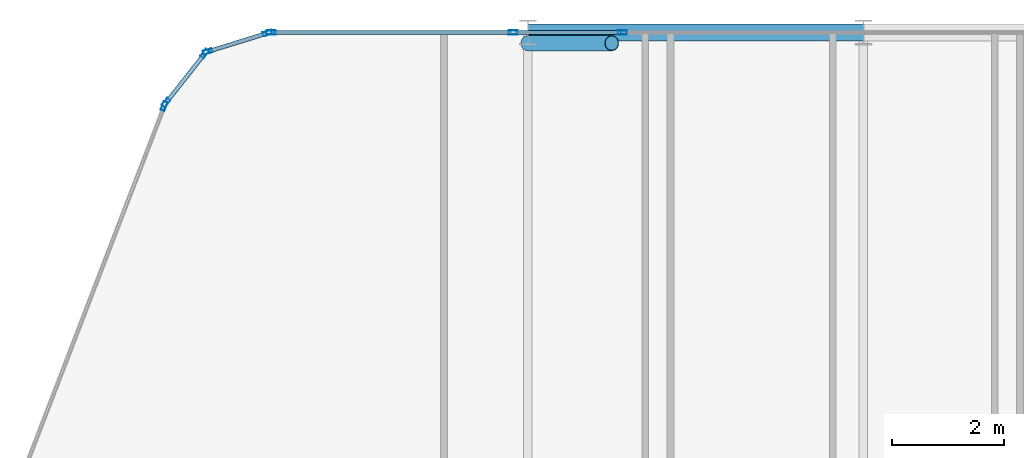
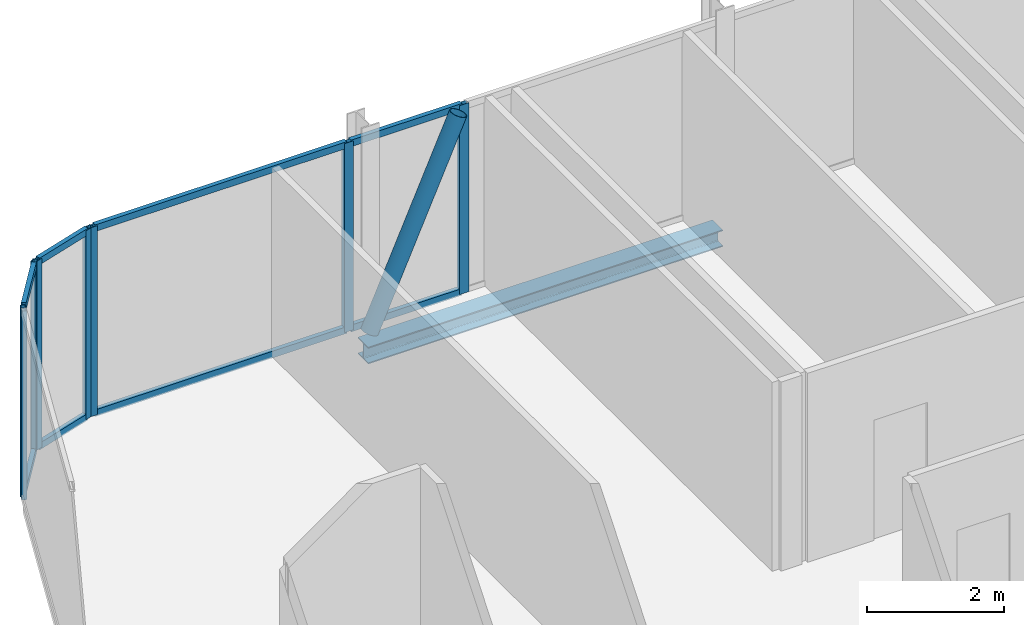
# One storey, part 18 of 29: 17 members, 1 beam, 5 elements without a shape of their own.
"""IFC4 building model written with IfcOpenShell, lengths in metres."""

from ifc_helpers import new_model, si_unit, direction, frame, origin, origin_2d, place, context, subcontext, project, spatial, hollow_rectangle, hollow_circle, i_section, extrude, material, layer, layer_set, material_profile, profile_set, type_object, element, aggregate, save


model = new_model("IFC4")

# Units and contexts
model_context = context("Model", 3, precision=1e-05, world=origin(), true_north=direction((0.0, 1.0)))
body_context = subcontext(model_context, "Body", "Model", "MODEL_VIEW")
ifc_project = project(units=[si_unit("LENGTHUNIT", "METRE"), si_unit("AREAUNIT", "SQUARE_METRE"), si_unit("VOLUMEUNIT", "CUBIC_METRE"), si_unit("PLANEANGLEUNIT", "RADIAN"), si_unit("MASSUNIT", "GRAM", prefix="KILO")], contexts=[model_context])

# Site, building, storey
site_placement = place(None, origin())
site = spatial("IfcSite", under=ifc_project, at=site_placement, CompositionType="ELEMENT")
building_placement = place(site_placement, origin())
building = spatial("IfcBuilding", under=site, at=building_placement, Name="Keshet Zoharim Tower", CompositionType="ELEMENT")
storey_placement = place(building_placement, frame((0.0, 0.0, 214.300048828125)))
storey = spatial("IfcBuildingStorey", under=building, at=storey_placement, Name="L53", CompositionType="ELEMENT", Elevation=214.300048828125)

# Beam
ifc_material_1 = material(Name="Steel S355", Category="steel")
ifc_material_profile_1 = material_profile(ifc_material_1, i_section(OverallWidth=0.300048828125, OverallDepth=0.300048828125, WebThickness=0.010986328125, FlangeThickness=0.01904296875, FilletRadius=0.027099609375, at=origin_2d()), Name="HEB300")
ifc_profile_set_1 = profile_set([ifc_material_profile_1], Name="Steel S355")
beam_type = type_object("IfcBeamType", Name="BM-PRI-HB300", PredefinedType="BEAM", material=ifc_profile_set_1)
beam_placement = place(storey_placement, frame((21.0, 53.89990234375, -0.4599609375), z_axis=(1.0, 0.0, 0.0), x_axis=(0.0, 1.0, 0.0)))
element("IfcBeam", 1, at=beam_placement, inside=storey, type_object=beam_type, Name="L53 Primary Girder X-019", PredefinedType="BEAM", context=body_context, shape_type="SweptSolid", body=[
    extrude(i_section(OverallWidth=0.300048828125, OverallDepth=0.300048828125, WebThickness=0.010986328125, FlangeThickness=0.01904296875, FilletRadius=0.027099609375, at=origin_2d()), origin(), (0.0, 0.0, 1.0), 6.0),
])

# Curtain wall, member
ifc_material_2 = material(Name="Aluminium 6063-T6", Category="aluminium")
ifc_layer = layer(ifc_material_2, 0.139892578125)
ifc_layer_set = layer_set([ifc_layer], Name="Aluminium 6063-T6")
curtain_wall_type = type_object("IfcCurtainWallType", Name="CW-SYS-05", PredefinedType="NOTDEFINED", material=ifc_layer_set)
curtain_wall_1_placement = place(storey_placement, origin())
curtain_wall_1 = element("IfcCurtainWall", 2, at=curtain_wall_1_placement, inside=storey, type_object=curtain_wall_type, Name="L53 Unitised Curtain Wall 13", PredefinedType="NOTDEFINED")
ifc_material_profile_2 = material_profile(ifc_material_2, hollow_rectangle(XDim=0.074951171875, YDim=0.159912109375, WallThickness=0.00390625, at=origin_2d()), Name="MUL-75x160")
ifc_profile_set_2 = profile_set([ifc_material_profile_2], Name="Aluminium 6063-T6")
member_type_1 = type_object("IfcMemberType", Name="CWM-M15", PredefinedType="MULLION", material=ifc_profile_set_2)
member_1_placement = place(storey_placement, frame((14.494384765625, 52.58544921875, 0.0), z_axis=(0.0, 0.0, 1.0), x_axis=(-0.933341404361, 0.358990003907, 0.0)))
member_1 = element("IfcMember", 3, at=member_1_placement, type_object=member_type_1, Name="CW-05 mullion 4", PredefinedType="MULLION", context=body_context, shape_type="SweptSolid", body=[
    extrude(hollow_rectangle(XDim=0.074951171875, YDim=0.159912109375, WallThickness=0.00390625, at=origin_2d()), origin(), (0.0, 0.0, 1.0), 3.3798828125),
])
aggregate(curtain_wall_1, [member_1])

# Curtain wall, members
curtain_wall_2_placement = place(storey_placement, origin())
curtain_wall_2 = element("IfcCurtainWall", 4, at=curtain_wall_2_placement, inside=storey, type_object=curtain_wall_type, Name="L53 Unitised Curtain Wall 14", PredefinedType="NOTDEFINED")
member_2_placement = place(storey_placement, frame((14.528564453125, 52.6455078125, 0.0), z_axis=(0.0, 0.0, 1.0), x_axis=(-0.785292825205, 0.619124525989, 0.0)))
member_2 = element("IfcMember", 5, at=member_2_placement, type_object=member_type_1, Name="CW-05 mullion 1", PredefinedType="MULLION", context=body_context, shape_type="SweptSolid", body=[
    extrude(hollow_rectangle(XDim=0.074951171875, YDim=0.159912109375, WallThickness=0.00390625, at=origin_2d()), origin(), (0.0, 0.0, 1.0), 3.3798828125),
])
member_3_placement = place(storey_placement, frame((15.21923828125, 53.521484375, 0.0), z_axis=(0.0, 0.0, 1.0), x_axis=(-0.785292825205, 0.619124525989, 0.0)))
member_3 = element("IfcMember", 6, at=member_3_placement, type_object=member_type_1, Name="CW-05 mullion 2", PredefinedType="MULLION", context=body_context, shape_type="SweptSolid", body=[
    extrude(hollow_rectangle(XDim=0.074951171875, YDim=0.159912109375, WallThickness=0.00390625, at=origin_2d()), origin(), (0.0, 0.0, 1.0), 3.3798828125),
])

curtain_wall_3_placement = place(storey_placement, origin())
curtain_wall_3 = element("IfcCurtainWall", 7, at=curtain_wall_3_placement, inside=storey, type_object=curtain_wall_type, Name="L53 Unitised Curtain Wall 15", PredefinedType="NOTDEFINED")
member_4_placement = place(storey_placement, frame((15.2744140625, 53.559326171875, 0.0), z_axis=(0.0, 0.0, 1.0), x_axis=(-0.295921857984, 0.955212151288, 0.0)))
member_4 = element("IfcMember", 8, at=member_4_placement, type_object=member_type_1, Name="CW-05 mullion 1", PredefinedType="MULLION", context=body_context, shape_type="SweptSolid", body=[
    extrude(hollow_rectangle(XDim=0.074951171875, YDim=0.159912109375, WallThickness=0.00390625, at=origin_2d()), origin(), (0.0, 0.0, 1.0), 3.3798828125),
])
member_5_placement = place(storey_placement, frame((16.340576171875, 53.8896484375, 0.0), z_axis=(0.0, 0.0, 1.0), x_axis=(-0.295921857984, 0.955212151288, 0.0)))
member_5 = element("IfcMember", 9, at=member_5_placement, type_object=member_type_1, Name="CW-05 mullion 2", PredefinedType="MULLION", context=body_context, shape_type="SweptSolid", body=[
    extrude(hollow_rectangle(XDim=0.074951171875, YDim=0.159912109375, WallThickness=0.00390625, at=origin_2d()), origin(), (0.0, 0.0, 1.0), 3.3798828125),
])

curtain_wall_4_placement = place(storey_placement, origin())
curtain_wall_4 = element("IfcCurtainWall", 10, at=curtain_wall_4_placement, inside=storey, type_object=curtain_wall_type, Name="L53 Unitised Curtain Wall 16", PredefinedType="NOTDEFINED")
member_6_placement = place(storey_placement, frame((16.408935546875, 53.89990234375, 0.0), z_axis=(0.0, 0.0, 1.0), x_axis=(0.0, 1.0, 0.0)))
member_6 = element("IfcMember", 11, at=member_6_placement, type_object=member_type_1, Name="CW-05 mullion 1", PredefinedType="MULLION", context=body_context, shape_type="SweptSolid", body=[
    extrude(hollow_rectangle(XDim=0.074951171875, YDim=0.159912109375, WallThickness=0.00390625, at=origin_2d()), origin(), (0.0, 0.0, 1.0), 3.3798828125),
])
member_7_placement = place(storey_placement, frame((20.740234375, 53.89990234375, 0.0), z_axis=(0.0, 0.0, 1.0), x_axis=(0.0, 1.0, 0.0)))
member_7 = element("IfcMember", 12, at=member_7_placement, type_object=member_type_1, Name="CW-05 mullion 2", PredefinedType="MULLION", context=body_context, shape_type="SweptSolid", body=[
    extrude(hollow_rectangle(XDim=0.074951171875, YDim=0.159912109375, WallThickness=0.00390625, at=origin_2d()), origin(), (0.0, 0.0, 1.0), 3.3798828125),
])

# Curtain wall, member
curtain_wall_5_placement = place(storey_placement, origin())
curtain_wall_5 = element("IfcCurtainWall", 13, at=curtain_wall_5_placement, inside=storey, type_object=curtain_wall_type, Name="L53 Unitised Curtain Wall 16 Part 2", PredefinedType="NOTDEFINED")
member_8_placement = place(storey_placement, frame((22.689697265625, 53.89990234375, 0.0), z_axis=(0.0, 0.0, 1.0), x_axis=(0.0, 1.0, 0.0)))
member_8 = element("IfcMember", 14, at=member_8_placement, type_object=member_type_1, Name="CW-05 mullion 2", PredefinedType="MULLION", context=body_context, shape_type="SweptSolid", body=[
    extrude(hollow_rectangle(XDim=0.074951171875, YDim=0.159912109375, WallThickness=0.00390625, at=origin_2d()), origin(), (0.0, 0.0, 1.0), 3.3798828125),
])

# Member
ifc_material_profile_3 = material_profile(ifc_material_2, hollow_rectangle(XDim=0.074951171875, YDim=0.1201171875, WallThickness=0.00390625, at=origin_2d()), Name="TRN-75x120")
ifc_profile_set_3 = profile_set([ifc_material_profile_3], Name="Aluminium 6063-T6")
member_type_2 = type_object("IfcMemberType", Name="CWT-T12", PredefinedType="USERDEFINED", material=ifc_profile_set_3)
member_9_placement = place(storey_placement, frame((14.55029296875, 52.6728515625, 0.034912109375), z_axis=(0.619099165969, 0.78531281837, 0.0), x_axis=(-0.78531281837, 0.619099165969, 0.0)))
member_9 = element("IfcMember", 15, at=member_9_placement, type_object=member_type_2, Name="CW-05 transom 1.1", ObjectType="TRANSOM", PredefinedType="USERDEFINED", context=body_context, shape_type="SweptSolid", body=[
    extrude(hollow_rectangle(XDim=0.074951171875, YDim=0.1201171875, WallThickness=0.00390625, at=origin_2d()), origin(), (0.0, 0.0, 1.0), 1.0458984375),
])

member_10_placement = place(storey_placement, frame((14.55029296875, 52.6728515625, 3.344970703125), z_axis=(0.619099165969, 0.78531281837, 0.0), x_axis=(-0.78531281837, 0.619099165969, 0.0)))
member_10 = element("IfcMember", 16, at=member_10_placement, type_object=member_type_2, Name="CW-05 transom 1.2", ObjectType="TRANSOM", PredefinedType="USERDEFINED", context=body_context, shape_type="SweptSolid", body=[
    extrude(hollow_rectangle(XDim=0.074951171875, YDim=0.1201171875, WallThickness=0.00390625, at=origin_2d()), origin(), (0.0, 0.0, 1.0), 1.0458984375),
])

aggregate(curtain_wall_2, [member_2, member_3, member_9, member_10])

member_11_placement = place(storey_placement, frame((15.307861328125, 53.56982421875, 0.034912109375), z_axis=(0.955212093062, 0.295922045933, 0.0), x_axis=(-0.295922045933, 0.955212093062, 0.0)))
member_11 = element("IfcMember", 17, at=member_11_placement, type_object=member_type_2, Name="CW-05 transom 1.1", ObjectType="TRANSOM", PredefinedType="USERDEFINED", context=body_context, shape_type="SweptSolid", body=[
    extrude(hollow_rectangle(XDim=0.074951171875, YDim=0.1201171875, WallThickness=0.00390625, at=origin_2d()), origin(), (0.0, 0.0, 1.0), 1.046142578125),
])

member_12_placement = place(storey_placement, frame((15.307861328125, 53.56982421875, 3.344970703125), z_axis=(0.955212093062, 0.295922045933, 0.0), x_axis=(-0.295922045933, 0.955212093062, 0.0)))
member_12 = element("IfcMember", 18, at=member_12_placement, type_object=member_type_2, Name="CW-05 transom 1.2", ObjectType="TRANSOM", PredefinedType="USERDEFINED", context=body_context, shape_type="SweptSolid", body=[
    extrude(hollow_rectangle(XDim=0.074951171875, YDim=0.1201171875, WallThickness=0.00390625, at=origin_2d()), origin(), (0.0, 0.0, 1.0), 1.046142578125),
])

aggregate(curtain_wall_3, [member_4, member_5, member_11, member_12])

member_13_placement = place(storey_placement, frame((16.444091796875, 53.89990234375, 0.034912109375), z_axis=(1.0, 0.0, 0.0), x_axis=(0.0, 1.0, 0.0)))
member_13 = element("IfcMember", 19, at=member_13_placement, type_object=member_type_2, Name="CW-05 transom 1.1", ObjectType="TRANSOM", PredefinedType="USERDEFINED", context=body_context, shape_type="SweptSolid", body=[
    extrude(hollow_rectangle(XDim=0.074951171875, YDim=0.1201171875, WallThickness=0.00390625, at=origin_2d()), origin(), (0.0, 0.0, 1.0), 4.260986328125),
])

member_14_placement = place(storey_placement, frame((16.444091796875, 53.89990234375, 3.344970703125), z_axis=(1.0, 0.0, 0.0), x_axis=(0.0, 1.0, 0.0)))
member_14 = element("IfcMember", 20, at=member_14_placement, type_object=member_type_2, Name="CW-05 transom 1.2", ObjectType="TRANSOM", PredefinedType="USERDEFINED", context=body_context, shape_type="SweptSolid", body=[
    extrude(hollow_rectangle(XDim=0.074951171875, YDim=0.1201171875, WallThickness=0.00390625, at=origin_2d()), origin(), (0.0, 0.0, 1.0), 4.260986328125),
])

aggregate(curtain_wall_4, [member_6, member_7, member_13, member_14])

member_15_placement = place(storey_placement, frame((20.775146484375, 53.89990234375, 0.034912109375), z_axis=(1.0, 0.0, 0.0), x_axis=(0.0, 1.0, 0.0)))
member_15 = element("IfcMember", 21, at=member_15_placement, type_object=member_type_2, Name="CW-05 transom 1.1", ObjectType="TRANSOM", PredefinedType="USERDEFINED", context=body_context, shape_type="SweptSolid", body=[
    extrude(hollow_rectangle(XDim=0.074951171875, YDim=0.1201171875, WallThickness=0.00390625, at=origin_2d()), origin(), (0.0, 0.0, 1.0), 1.879638671875),
])

member_16_placement = place(storey_placement, frame((20.775146484375, 53.89990234375, 3.344970703125), z_axis=(1.0, 0.0, 0.0), x_axis=(0.0, 1.0, 0.0)))
member_16 = element("IfcMember", 22, at=member_16_placement, type_object=member_type_2, Name="CW-05 transom 1.2", ObjectType="TRANSOM", PredefinedType="USERDEFINED", context=body_context, shape_type="SweptSolid", body=[
    extrude(hollow_rectangle(XDim=0.074951171875, YDim=0.1201171875, WallThickness=0.00390625, at=origin_2d()), origin(), (0.0, 0.0, 1.0), 1.879638671875),
])

aggregate(curtain_wall_5, [member_8, member_15, member_16])

ifc_material_profile_4 = material_profile(ifc_material_1, hollow_circle(Radius=0.136474609375, WallThickness=0.010009765625, at=origin_2d()), Name="CHS273x10")
ifc_profile_set_4 = profile_set([ifc_material_profile_4], Name="Steel S355")
member_type_3 = type_object("IfcMemberType", Name="MB-BR-C273", PredefinedType="BRACE", material=ifc_profile_set_4)
member_17_placement = place(storey_placement, frame((21.0, 53.7099609375, 0.0), z_axis=(0.405648336366, 0.0, 0.914029226668), x_axis=(0.0, 1.0, 0.0)))
element("IfcMember", 23, at=member_17_placement, inside=storey, type_object=member_type_3, Name="L53 Perimeter Tube Brace 02", PredefinedType="BRACE", context=body_context, shape_type="SweptSolid", body=[
    extrude(hollow_circle(Radius=0.136474609375, WallThickness=0.010009765625, at=origin_2d()), origin(), (0.0, 0.0, 1.0), 3.69775390625),
])

save(model, "model.ifc")
